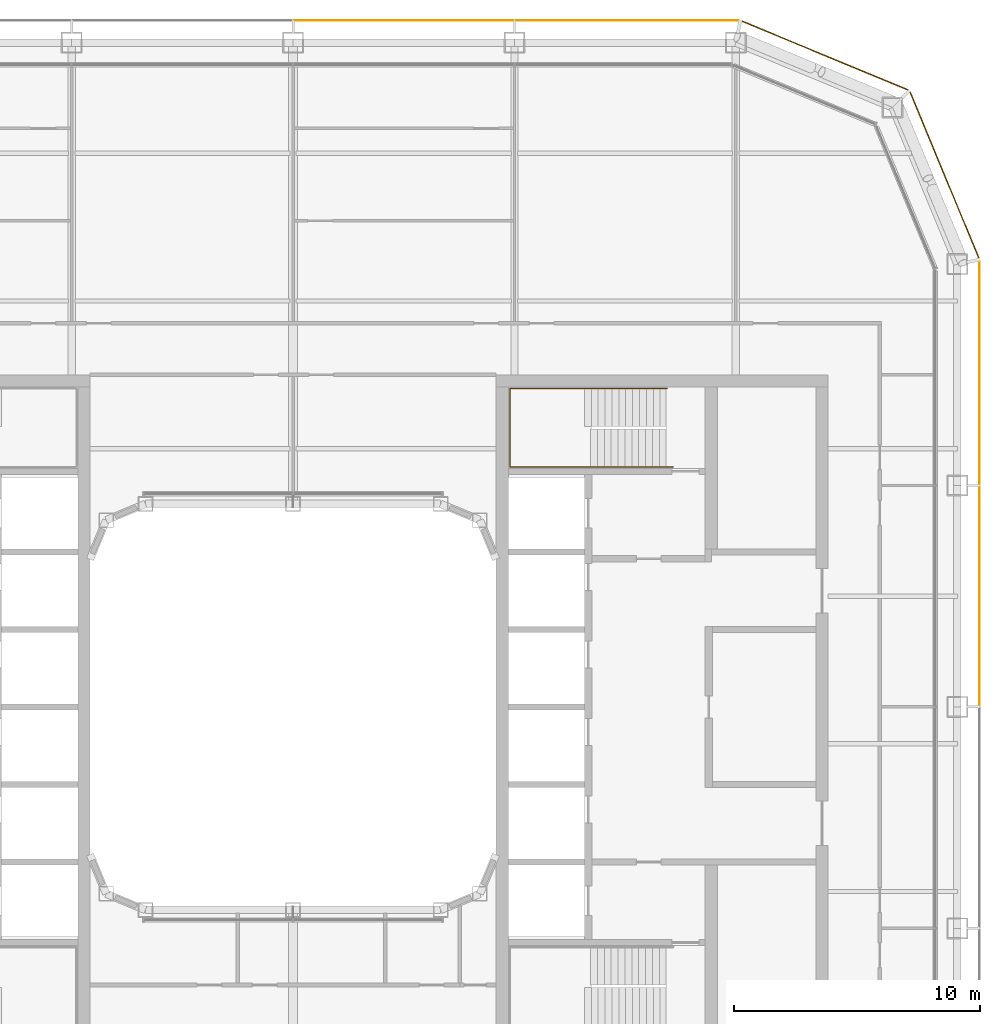
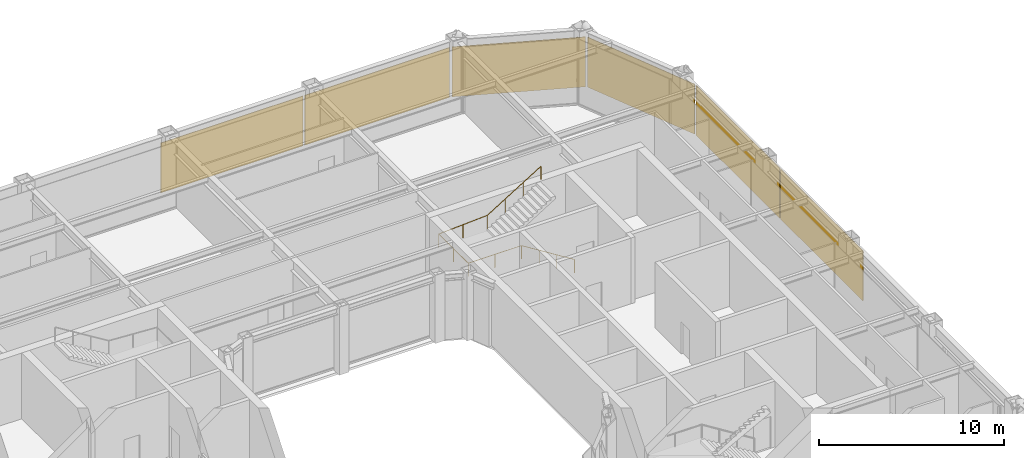
# One storey, part 22 of 23: 6 coverings, 1 railing.
"""IFC4 building model written with IfcOpenShell, lengths in metres."""

import ifcopenshell
import ifcopenshell.guid

model = None  # the IFC model being written
_history = None  # IfcOwnerHistory: only IFC2X3 demands one
_inside = {}  # id of a spatial element -> (the spatial element, [elements in it])
_under = {}  # id of a project, library or spatial element -> (it, [spatial elements below it])
_declared = {}  # id of a project -> (the project, [libraries it declares])
_typed = {}  # id of a type object -> (the type object, [elements of that type])
_made_of = {}  # id of a material, layer set ... -> (it, [elements and type objects made of it])


def new_model(schema):
    """Start an empty IFC model of exactly this schema.

    Asked for "IFC4X3", IfcOpenShell would pick the latest addendum, in which some entities
    have other attributes; the version numbers below select the first issue.
    IFC2X3 requires an IfcOwnerHistory on every rooted entity: one is made here for all.
    """
    global model, _history
    if schema == "IFC4X3":
        model = ifcopenshell.file(schema_version=(4, 3, 0, 0))
    else:
        model = ifcopenshell.file(schema=schema)
    _inside.clear()
    _under.clear()
    _declared.clear()
    _typed.clear()
    _made_of.clear()
    _history = None
    if model.schema == "IFC2X3":
        org = make("IfcOrganization", Name="unknown")
        user = make(
            "IfcPersonAndOrganization",
            ThePerson=make("IfcPerson", FamilyName="unknown"),
            TheOrganization=org,
        )
        app = make(
            "IfcApplication",
            ApplicationDeveloper=org,
            Version="unknown",
            ApplicationFullName="unknown",
            ApplicationIdentifier="unknown",
        )
        _history = make(
            "IfcOwnerHistory",
            OwningUser=user,
            OwningApplication=app,
            ChangeAction="ADDED",
            CreationDate=0,
        )
    return model


def make(cls, **values):
    """One entity of the class cls with the attributes given. An attribute that is None is left unset."""
    return model.create_entity(
        cls, **{name: value for name, value in values.items() if value is not None}
    )


def rooted(cls, **values):
    """An entity with a GlobalId (a new one), such as an element, a storey or a relation."""
    return make(cls, GlobalId=ifcopenshell.guid.new(), OwnerHistory=_history, **values)


def si_unit(unit_type, name, prefix=None):
    """IfcSIUnit, for example si_unit("LENGTHUNIT", "METRE", prefix="MILLI")."""
    return make("IfcSIUnit", UnitType=unit_type, Prefix=prefix, Name=name)


def assignment(units):
    """IfcUnitAssignment: the units of a project."""
    return None if units is None else make("IfcUnitAssignment", Units=units)


def point(xyz):
    """IfcCartesianPoint."""
    return None if xyz is None else make("IfcCartesianPoint", Coordinates=xyz)


def direction(xyz):
    """IfcDirection."""
    return None if xyz is None else make("IfcDirection", DirectionRatios=xyz)


def frame(location, z_axis=None, x_axis=None):
    """IfcAxis2Placement3D, a coordinate frame: its origin and axes. An axis left out is left unset."""
    return make(
        "IfcAxis2Placement3D",
        Location=point(location),
        Axis=direction(z_axis),
        RefDirection=direction(x_axis),
    )


def frame_2d(location, x_axis=None):
    """IfcAxis2Placement2D, a coordinate frame in the plane: its origin and x axis."""
    return make(
        "IfcAxis2Placement2D", Location=point(location), RefDirection=direction(x_axis)
    )


def origin():
    """The frame at (0, 0, 0) with its axes left unset."""
    return frame((0.0, 0.0, 0.0))


def origin_2d():
    """The frame at (0, 0) in the plane with its x axis left unset."""
    return frame_2d((0.0, 0.0))


def place(relative_to, where):
    """IfcLocalPlacement: puts the frame where relative to a parent placement (None: the world)."""
    return make(
        "IfcLocalPlacement", PlacementRelTo=relative_to, RelativePlacement=where
    )


def context(
    kind, dimensions, precision=None, world=None, true_north=None, identifier=None
):
    """IfcGeometricRepresentationContext, for example the 3D "Model" context."""
    return make(
        "IfcGeometricRepresentationContext",
        ContextIdentifier=identifier,
        ContextType=kind,
        CoordinateSpaceDimension=dimensions,
        Precision=precision,
        WorldCoordinateSystem=world,
        TrueNorth=true_north,
    )


def subcontext(parent, identifier, kind, view, scale=None):
    """IfcGeometricRepresentationSubContext, for example "Body" below "Model"."""
    return make(
        "IfcGeometricRepresentationSubContext",
        ContextIdentifier=identifier,
        ContextType=kind,
        ParentContext=parent,
        TargetScale=scale,
        TargetView=view,
    )


def project(units=None, contexts=None):
    """IfcProject with its units and contexts."""
    return rooted(
        "IfcProject",
        Name="project",
        RepresentationContexts=contexts,
        UnitsInContext=assignment(units),
    )


def spatial(cls, under=None, at=None, **own):
    """A site, building, storey or space (cls), placed at a placement, below another one or the project."""
    s = rooted(cls, ObjectPlacement=at, **own)
    if under is not None:
        _under.setdefault(under.id(), (under, []))[1].append(s)
    return s


def profile(cls, at=None, kind="AREA", **sizes):
    """A parametric profile (cls). Its sizes go by their IFC names, for example OverallWidth=200.0."""
    return make(cls, ProfileType=kind, Position=at, **sizes)


def rectangle(**sizes):
    """IfcRectangleProfileDef."""
    return profile("IfcRectangleProfileDef", **sizes)


def circle(**sizes):
    """IfcCircleProfileDef."""
    return profile("IfcCircleProfileDef", **sizes)


def extrude(swept, where, along, depth):
    """IfcExtrudedAreaSolid: the profile swept, set in the frame where, extruded along a direction by depth."""
    return make(
        "IfcExtrudedAreaSolid",
        SweptArea=swept,
        Position=where,
        ExtrudedDirection=direction(along),
        Depth=depth,
    )


def shape(context_of_items, identifier, shape_type, items):
    """IfcShapeRepresentation: the items that make up one representation, for example the "Body"."""
    return make(
        "IfcShapeRepresentation",
        ContextOfItems=context_of_items,
        RepresentationIdentifier=identifier,
        RepresentationType=shape_type,
        Items=items,
    )


def material(Name=None, Category=None):
    """IfcMaterial."""
    return make("IfcMaterial", Name=Name, Category=Category)


def layer(
    of_material, thickness, ventilated=None, Name=None, Category=None, Priority=None
):
    """IfcMaterialLayer: one layer of a wall or slab, of a material (None: an air gap)."""
    return make(
        "IfcMaterialLayer",
        Material=of_material,
        LayerThickness=thickness,
        IsVentilated=ventilated,
        Name=Name,
        Category=Category,
        Priority=Priority,
    )


def layer_set(layers, Name=None):
    """IfcMaterialLayerSet."""
    return make("IfcMaterialLayerSet", MaterialLayers=layers, LayerSetName=Name)


def made_of(thing, what):
    """Note that an element or type object is made of a material, layer set ...; save() writes the relation."""
    if what is not None:
        _made_of.setdefault(what.id(), (what, []))[1].append(thing)
    return thing


def type_object(cls, material=None, **own):
    """A type object (cls), such as IfcWallType, which elements share."""
    return made_of(rooted(cls, **own), material)


def element(
    cls,
    number,
    at=None,
    inside=None,
    cuts=None,
    type_object=None,
    material=None,
    context=None,
    identifier="Body",
    shape_type=None,
    held_by="IfcProductDefinitionShape",
    body=None,
    shapes=None,
    **own,
):
    """One element of the class cls, such as IfcWall. Its Tag is "e" and its number.

    at: its placement. inside: the storey or other place that contains it. cuts: it is an
    opening in that element (IfcRelVoidsElement). A single representation is given by context,
    identifier, shape_type and body (its items); several are given by shapes. held_by: the class
    of the entity that holds the representations. save() writes the other relations.
    """
    e = rooted(cls, Tag="e%d" % number, ObjectPlacement=at, **own)
    if body is not None:
        shapes = [shape(context, identifier, shape_type, body)]
    if shapes is not None:
        e.Representation = make(held_by, Representations=shapes)
    if inside is not None:
        _inside.setdefault(inside.id(), (inside, []))[1].append(e)
    if cuts is not None:
        rooted(
            "IfcRelVoidsElement", RelatingBuildingElement=cuts, RelatedOpeningElement=e
        )
    if type_object is not None:
        _typed.setdefault(type_object.id(), (type_object, []))[1].append(e)
    return made_of(e, material)


def aggregate(whole, parts):
    """IfcRelAggregates: a whole, such as a stair, and the parts it consists of."""
    return rooted("IfcRelAggregates", RelatingObject=whole, RelatedObjects=parts)


def save(model, path):
    """Write the relations noted so far, then the file.

    IfcRelAggregates (storeys below a building ...), IfcRelContainedInSpatialStructure (elements
    in a storey), IfcRelDefinesByType, IfcRelAssociatesMaterial and IfcRelDeclares: one each for
    every whole, place, type object, material and project.
    """
    for whole, parts in _under.values():
        aggregate(whole, parts)
    for where, things in _inside.values():
        rooted(
            "IfcRelContainedInSpatialStructure",
            RelatedElements=things,
            RelatingStructure=where,
        )
    for kind, things in _typed.values():
        rooted("IfcRelDefinesByType", RelatedObjects=things, RelatingType=kind)
    for what, things in _made_of.values():
        rooted("IfcRelAssociatesMaterial", RelatedObjects=things, RelatingMaterial=what)
    for by, libraries in _declared.values():
        rooted("IfcRelDeclares", RelatingContext=by, RelatedDefinitions=libraries)
    model.write(path)


model = new_model("IFC4")

# Units and contexts
model_context = context("Model", 3, precision=1e-05, world=origin(), true_north=direction((0.0, 1.0)))
body_context = subcontext(model_context, "Body", "Model", "MODEL_VIEW")
ifc_project = project(units=[si_unit("LENGTHUNIT", "METRE"), si_unit("AREAUNIT", "SQUARE_METRE"), si_unit("VOLUMEUNIT", "CUBIC_METRE"), si_unit("PLANEANGLEUNIT", "RADIAN"), si_unit("MASSUNIT", "GRAM", prefix="KILO")], contexts=[model_context])

# Site, building, storey
site_placement = place(None, origin())
site = spatial("IfcSite", under=ifc_project, at=site_placement, CompositionType="ELEMENT")
building_placement = place(site_placement, origin())
building = spatial("IfcBuilding", under=site, at=building_placement, Name="Siwar Civic Tower", CompositionType="ELEMENT")
storey_placement = place(building_placement, frame((0.0, 0.0, 233.199951171875)))
storey = spatial("IfcBuildingStorey", under=building, at=storey_placement, Name="L50", CompositionType="ELEMENT", Elevation=233.199951171875)

# Railing
ifc_material_1 = material(Name="Stainless steel", Category="steel")
railing_type = type_object("IfcRailingType", Name="CORE-STAIR-HANDRAIL", PredefinedType="HANDRAIL", material=ifc_material_1)
railing_placement = place(storey_placement, frame((15.449951171875, 9.758056640625, 0.173095703125)))
element("IfcRailing", 1, at=railing_placement, inside=storey, type_object=railing_type, Name="Stair handrail ST3", PredefinedType="HANDRAIL", context=body_context, shape_type="SweptSolid", body=[
    extrude(circle(Radius=0.02001953125, at=origin_2d()), frame((0.0, 0.0, 0.8798828125), z_axis=(-0.847063342986, 0.0, 0.531491950051), x_axis=(0.0, -1.0, 0.0)), (0.0, 0.0, 1.0), 3.90771484375),
    extrude(circle(Radius=0.02001953125, at=origin_2d()), frame((-3.31005859375, 0.0, 2.956787109375), z_axis=(-1.0, 0.0, 0.0), x_axis=(0.0, -1.0, 0.0)), (0.0, 0.0, 1.0), 3.331787109375),
    extrude(circle(Radius=0.02001953125, at=origin_2d()), frame((-6.641845703125, 0.0, 2.956787109375), z_axis=(0.0, 1.0, 0.0), x_axis=(-1.0, 0.0, 0.0)), (0.0, 0.0, 1.0), 3.183837890625),
    extrude(circle(Radius=0.02001953125, at=origin_2d()), frame((-6.641845703125, 3.183837890625, 2.956787109375), z_axis=(0.99837434197, 0.0, 0.056997134106), x_axis=(0.0, 1.0, 0.0)), (0.0, 0.0, 1.0), 3.036865234375),
    extrude(circle(Radius=0.02001953125, at=origin_2d()), frame((-3.60986328125, 3.183837890625, 3.1298828125), z_axis=(0.850606129759, 0.0, 0.525803396734), x_axis=(0.0, 1.0, 0.0)), (0.0, 0.0, 1.0), 3.949951171875),
    extrude(circle(Radius=0.02001953125, at=origin_2d()), origin(), (0.0, 0.0, 1.0), 0.85986328125),
    extrude(circle(Radius=0.02001953125, at=origin_2d()), frame((-1.103271484375, 0.0, 0.6923828125)), (0.0, 0.0, 1.0), 0.85986328125),
    extrude(circle(Radius=0.02001953125, at=origin_2d()), frame((-2.206787109375, 0.0, 1.384521484375)), (0.0, 0.0, 1.0), 0.85986328125),
    extrude(circle(Radius=0.02001953125, at=origin_2d()), frame((-3.31005859375, 0.0, 2.076904296875)), (0.0, 0.0, 1.0), 0.85986328125),
    extrude(circle(Radius=0.02001953125, at=origin_2d()), frame((-4.97607421875, 0.0, 2.076904296875)), (0.0, 0.0, 1.0), 0.85986328125),
    extrude(circle(Radius=0.02001953125, at=origin_2d()), frame((-6.641845703125, 0.0, 2.076904296875)), (0.0, 0.0, 1.0), 0.85986328125),
    extrude(circle(Radius=0.02001953125, at=origin_2d()), frame((-6.641845703125, 1.591796875, 2.076904296875)), (0.0, 0.0, 1.0), 0.85986328125),
    extrude(circle(Radius=0.02001953125, at=origin_2d()), frame((-6.641845703125, 3.183837890625, 2.076904296875)), (0.0, 0.0, 1.0), 0.85986328125),
    extrude(circle(Radius=0.02001953125, at=origin_2d()), frame((-5.1259765625, 3.183837890625, 2.16357421875)), (0.0, 0.0, 1.0), 0.85986328125),
    extrude(circle(Radius=0.02001953125, at=origin_2d()), frame((-3.60986328125, 3.183837890625, 2.25)), (0.0, 0.0, 1.0), 0.85986328125),
    extrude(circle(Radius=0.02001953125, at=origin_2d()), frame((-2.489990234375, 3.183837890625, 2.9423828125)), (0.0, 0.0, 1.0), 0.85986328125),
    extrude(circle(Radius=0.02001953125, at=origin_2d()), frame((-1.369873046875, 3.183837890625, 3.634521484375)), (0.0, 0.0, 1.0), 0.85986328125),
    extrude(circle(Radius=0.02001953125, at=origin_2d()), frame((-0.25, 3.183837890625, 4.326904296875)), (0.0, 0.0, 1.0), 0.85986328125),
])

# Coverings
ifc_material_2 = material(Name="Perforated aluminium cassette, pale metal", Category="aluminium")
ifc_layer = layer(ifc_material_2, 0.0400390625)
ifc_layer_set = layer_set([ifc_layer], Name="Perforated aluminium cassette, pale metal")
covering_type = type_object("IfcCoveringType", Name="ENV-OUTER SKIN OS-1", PredefinedType="CLADDING", material=ifc_layer_set)
covering_1_placement = place(storey_placement, frame((27.89990234375, 4.5, -0.14990234375), z_axis=(0.0, 0.0, 1.0), x_axis=(0.0, 1.0, 0.0)))
element("IfcCovering", 2, at=covering_1_placement, inside=storey, type_object=covering_type, Name="OUTER SKIN OS-1 E 3", PredefinedType="CLADDING", context=body_context, shape_type="SweptSolid", body=[
    extrude(rectangle(XDim=8.89990234375, YDim=0.0400390625, at=origin_2d()), origin(), (0.0, 0.0, 1.0), 3.300048828125),
])
covering_2_placement = place(storey_placement, frame((27.89990234375, 13.57958984375, -0.14990234375), z_axis=(0.0, 0.0, 1.0), x_axis=(0.0, 1.0, 0.0)))
element("IfcCovering", 3, at=covering_2_placement, inside=storey, type_object=covering_type, Name="OUTER SKIN OS-1 E 4", PredefinedType="CLADDING", context=body_context, shape_type="SweptSolid", body=[
    extrude(rectangle(XDim=9.05908203125, YDim=0.0400390625, at=origin_2d()), origin(), (0.0, 0.0, 1.0), 3.300048828125),
])
for number, where, z_axis, x_axis, name in (
    (4, (26.476318359375, 21.615966796875, -0.14990234375), (0.0, 0.0, 1.0), (-0.382683432365, 0.923879532511, 0.0), "OUTER SKIN OS-1 NE1 1"),
    (5, (21.615966796875, 26.476318359375, -0.14990234375), (0.0, 0.0, 1.0), (-0.923879532511, 0.382683432365, 0.0), "OUTER SKIN OS-1 NE2 1"),
):
    element("IfcCovering", number, at=place(storey_placement, frame(where, z_axis=z_axis, x_axis=x_axis)), inside=storey, type_object=covering_type, Name=name, PredefinedType="CLADDING", context=body_context, shape_type="SweptSolid", body=[
        extrude(rectangle(XDim=7.300048828125, YDim=0.0400390625, at=origin_2d()), origin(), (0.0, 0.0, 1.0), 3.300048828125),
    ])
covering_3_placement = place(storey_placement, frame((13.57958984375, 27.89990234375, -0.14990234375), z_axis=(0.0, 0.0, 1.0), x_axis=(-1.0, 0.0, 0.0)))
element("IfcCovering", 6, at=covering_3_placement, inside=storey, type_object=covering_type, Name="OUTER SKIN OS-1 N 1", PredefinedType="CLADDING", context=body_context, shape_type="SweptSolid", body=[
    extrude(rectangle(XDim=9.05908203125, YDim=0.0400390625, at=origin_2d()), origin(), (0.0, 0.0, 1.0), 3.300048828125),
])
covering_4_placement = place(storey_placement, frame((4.5, 27.89990234375, -0.14990234375), z_axis=(0.0, 0.0, 1.0), x_axis=(-1.0, 0.0, 0.0)))
element("IfcCovering", 7, at=covering_4_placement, inside=storey, type_object=covering_type, Name="OUTER SKIN OS-1 N 2", PredefinedType="CLADDING", context=body_context, shape_type="SweptSolid", body=[
    extrude(rectangle(XDim=8.89990234375, YDim=0.0400390625, at=origin_2d()), origin(), (0.0, 0.0, 1.0), 3.300048828125),
])

save(model, "model.ifc")
